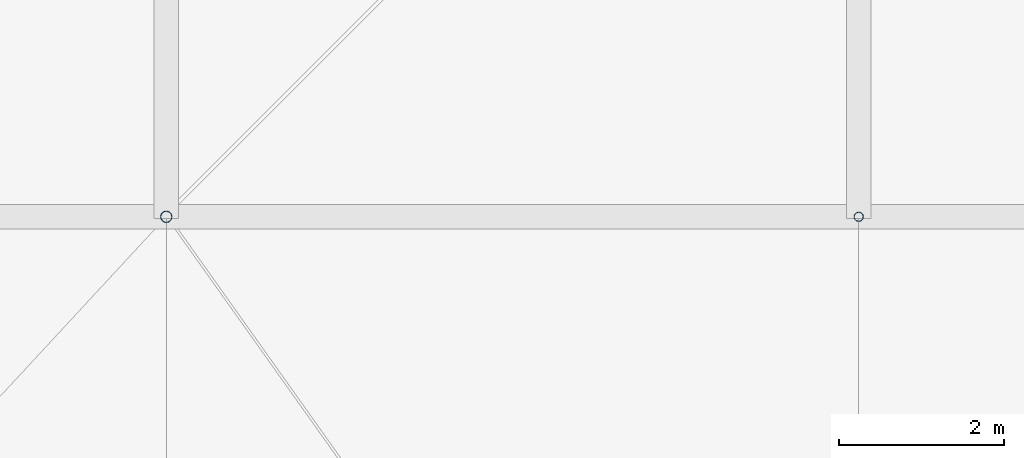
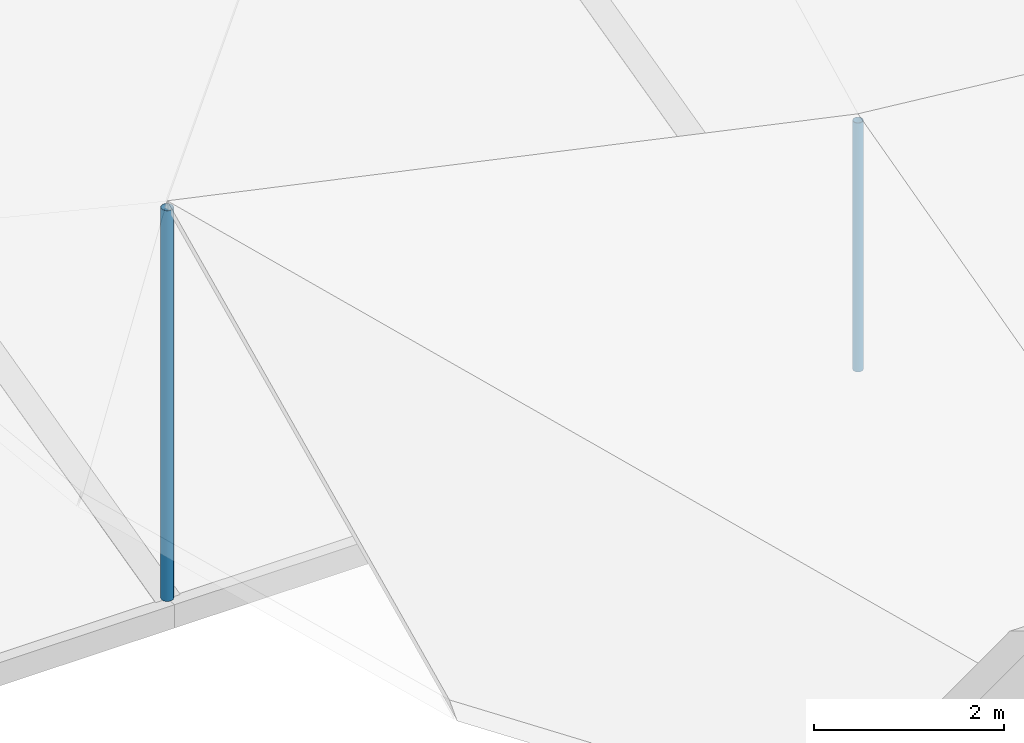
# One storey, part 31 of 111: 2 discrete accessories.
"""IFC4 building model written with IfcOpenShell, lengths in metres."""

import ifcopenshell
import ifcopenshell.guid

model = None  # the IFC model being written
_history = None  # IfcOwnerHistory: only IFC2X3 demands one
_inside = {}  # id of a spatial element -> (the spatial element, [elements in it])
_under = {}  # id of a project, library or spatial element -> (it, [spatial elements below it])
_declared = {}  # id of a project -> (the project, [libraries it declares])
_typed = {}  # id of a type object -> (the type object, [elements of that type])
_made_of = {}  # id of a material, layer set ... -> (it, [elements and type objects made of it])


def new_model(schema):
    """Start an empty IFC model of exactly this schema.

    Asked for "IFC4X3", IfcOpenShell would pick the latest addendum, in which some entities
    have other attributes; the version numbers below select the first issue.
    IFC2X3 requires an IfcOwnerHistory on every rooted entity: one is made here for all.
    """
    global model, _history
    if schema == "IFC4X3":
        model = ifcopenshell.file(schema_version=(4, 3, 0, 0))
    else:
        model = ifcopenshell.file(schema=schema)
    _inside.clear()
    _under.clear()
    _declared.clear()
    _typed.clear()
    _made_of.clear()
    _history = None
    if model.schema == "IFC2X3":
        org = make("IfcOrganization", Name="unknown")
        user = make(
            "IfcPersonAndOrganization",
            ThePerson=make("IfcPerson", FamilyName="unknown"),
            TheOrganization=org,
        )
        app = make(
            "IfcApplication",
            ApplicationDeveloper=org,
            Version="unknown",
            ApplicationFullName="unknown",
            ApplicationIdentifier="unknown",
        )
        _history = make(
            "IfcOwnerHistory",
            OwningUser=user,
            OwningApplication=app,
            ChangeAction="ADDED",
            CreationDate=0,
        )
    return model


def make(cls, **values):
    """One entity of the class cls with the attributes given. An attribute that is None is left unset."""
    return model.create_entity(
        cls, **{name: value for name, value in values.items() if value is not None}
    )


def rooted(cls, **values):
    """An entity with a GlobalId (a new one), such as an element, a storey or a relation."""
    return make(cls, GlobalId=ifcopenshell.guid.new(), OwnerHistory=_history, **values)


def si_unit(unit_type, name, prefix=None):
    """IfcSIUnit, for example si_unit("LENGTHUNIT", "METRE", prefix="MILLI")."""
    return make("IfcSIUnit", UnitType=unit_type, Prefix=prefix, Name=name)


def assignment(units):
    """IfcUnitAssignment: the units of a project."""
    return None if units is None else make("IfcUnitAssignment", Units=units)


def point(xyz):
    """IfcCartesianPoint."""
    return None if xyz is None else make("IfcCartesianPoint", Coordinates=xyz)


def direction(xyz):
    """IfcDirection."""
    return None if xyz is None else make("IfcDirection", DirectionRatios=xyz)


def frame(location, z_axis=None, x_axis=None):
    """IfcAxis2Placement3D, a coordinate frame: its origin and axes. An axis left out is left unset."""
    return make(
        "IfcAxis2Placement3D",
        Location=point(location),
        Axis=direction(z_axis),
        RefDirection=direction(x_axis),
    )


def frame_2d(location, x_axis=None):
    """IfcAxis2Placement2D, a coordinate frame in the plane: its origin and x axis."""
    return make(
        "IfcAxis2Placement2D", Location=point(location), RefDirection=direction(x_axis)
    )


def origin():
    """The frame at (0, 0, 0) with its axes left unset."""
    return frame((0.0, 0.0, 0.0))


def origin_2d():
    """The frame at (0, 0) in the plane with its x axis left unset."""
    return frame_2d((0.0, 0.0))


def place(relative_to, where):
    """IfcLocalPlacement: puts the frame where relative to a parent placement (None: the world)."""
    return make(
        "IfcLocalPlacement", PlacementRelTo=relative_to, RelativePlacement=where
    )


def context(
    kind, dimensions, precision=None, world=None, true_north=None, identifier=None
):
    """IfcGeometricRepresentationContext, for example the 3D "Model" context."""
    return make(
        "IfcGeometricRepresentationContext",
        ContextIdentifier=identifier,
        ContextType=kind,
        CoordinateSpaceDimension=dimensions,
        Precision=precision,
        WorldCoordinateSystem=world,
        TrueNorth=true_north,
    )


def subcontext(parent, identifier, kind, view, scale=None):
    """IfcGeometricRepresentationSubContext, for example "Body" below "Model"."""
    return make(
        "IfcGeometricRepresentationSubContext",
        ContextIdentifier=identifier,
        ContextType=kind,
        ParentContext=parent,
        TargetScale=scale,
        TargetView=view,
    )


def project(units=None, contexts=None):
    """IfcProject with its units and contexts."""
    return rooted(
        "IfcProject",
        Name="project",
        RepresentationContexts=contexts,
        UnitsInContext=assignment(units),
    )


def spatial(cls, under=None, at=None, **own):
    """A site, building, storey or space (cls), placed at a placement, below another one or the project."""
    s = rooted(cls, ObjectPlacement=at, **own)
    if under is not None:
        _under.setdefault(under.id(), (under, []))[1].append(s)
    return s


def profile(cls, at=None, kind="AREA", **sizes):
    """A parametric profile (cls). Its sizes go by their IFC names, for example OverallWidth=200.0."""
    return make(cls, ProfileType=kind, Position=at, **sizes)


def hollow_circle(**sizes):
    """IfcCircleHollowProfileDef."""
    return profile("IfcCircleHollowProfileDef", **sizes)


def extrude(swept, where, along, depth):
    """IfcExtrudedAreaSolid: the profile swept, set in the frame where, extruded along a direction by depth."""
    return make(
        "IfcExtrudedAreaSolid",
        SweptArea=swept,
        Position=where,
        ExtrudedDirection=direction(along),
        Depth=depth,
    )


def shape(context_of_items, identifier, shape_type, items):
    """IfcShapeRepresentation: the items that make up one representation, for example the "Body"."""
    return make(
        "IfcShapeRepresentation",
        ContextOfItems=context_of_items,
        RepresentationIdentifier=identifier,
        RepresentationType=shape_type,
        Items=items,
    )


def material(Name=None, Category=None):
    """IfcMaterial."""
    return make("IfcMaterial", Name=Name, Category=Category)


def material_profile(
    of_material, cross_section, Name=None, Category=None, Priority=None
):
    """IfcMaterialProfile: a cross section and its material."""
    return make(
        "IfcMaterialProfile",
        Name=Name,
        Material=of_material,
        Profile=cross_section,
        Priority=Priority,
        Category=Category,
    )


def profile_set(profiles, Name=None, composite=None):
    """IfcMaterialProfileSet."""
    return make(
        "IfcMaterialProfileSet",
        Name=Name,
        MaterialProfiles=profiles,
        CompositeProfile=composite,
    )


def made_of(thing, what):
    """Note that an element or type object is made of a material, layer set ...; save() writes the relation."""
    if what is not None:
        _made_of.setdefault(what.id(), (what, []))[1].append(thing)
    return thing


def type_object(cls, material=None, **own):
    """A type object (cls), such as IfcWallType, which elements share."""
    return made_of(rooted(cls, **own), material)


def element(
    cls,
    number,
    at=None,
    inside=None,
    cuts=None,
    type_object=None,
    material=None,
    context=None,
    identifier="Body",
    shape_type=None,
    held_by="IfcProductDefinitionShape",
    body=None,
    shapes=None,
    **own,
):
    """One element of the class cls, such as IfcWall. Its Tag is "e" and its number.

    at: its placement. inside: the storey or other place that contains it. cuts: it is an
    opening in that element (IfcRelVoidsElement). A single representation is given by context,
    identifier, shape_type and body (its items); several are given by shapes. held_by: the class
    of the entity that holds the representations. save() writes the other relations.
    """
    e = rooted(cls, Tag="e%d" % number, ObjectPlacement=at, **own)
    if body is not None:
        shapes = [shape(context, identifier, shape_type, body)]
    if shapes is not None:
        e.Representation = make(held_by, Representations=shapes)
    if inside is not None:
        _inside.setdefault(inside.id(), (inside, []))[1].append(e)
    if cuts is not None:
        rooted(
            "IfcRelVoidsElement", RelatingBuildingElement=cuts, RelatedOpeningElement=e
        )
    if type_object is not None:
        _typed.setdefault(type_object.id(), (type_object, []))[1].append(e)
    return made_of(e, material)


def aggregate(whole, parts):
    """IfcRelAggregates: a whole, such as a stair, and the parts it consists of."""
    return rooted("IfcRelAggregates", RelatingObject=whole, RelatedObjects=parts)


def save(model, path):
    """Write the relations noted so far, then the file.

    IfcRelAggregates (storeys below a building ...), IfcRelContainedInSpatialStructure (elements
    in a storey), IfcRelDefinesByType, IfcRelAssociatesMaterial and IfcRelDeclares: one each for
    every whole, place, type object, material and project.
    """
    for whole, parts in _under.values():
        aggregate(whole, parts)
    for where, things in _inside.values():
        rooted(
            "IfcRelContainedInSpatialStructure",
            RelatedElements=things,
            RelatingStructure=where,
        )
    for kind, things in _typed.values():
        rooted("IfcRelDefinesByType", RelatedObjects=things, RelatingType=kind)
    for what, things in _made_of.values():
        rooted("IfcRelAssociatesMaterial", RelatedObjects=things, RelatingMaterial=what)
    for by, libraries in _declared.values():
        rooted("IfcRelDeclares", RelatingContext=by, RelatedDefinitions=libraries)
    model.write(path)


model = new_model("IFC4")

# Units and contexts
model_context = context("Model", 3, precision=1e-05, world=origin(), true_north=direction((0.0, 1.0)))
body_context = subcontext(model_context, "Body", "Model", "MODEL_VIEW")
ifc_project = project(units=[si_unit("LENGTHUNIT", "METRE"), si_unit("AREAUNIT", "SQUARE_METRE"), si_unit("VOLUMEUNIT", "CUBIC_METRE"), si_unit("PLANEANGLEUNIT", "RADIAN"), si_unit("MASSUNIT", "GRAM", prefix="KILO")], contexts=[model_context])

# Site, building, storey
site_placement = place(None, origin())
site = spatial("IfcSite", under=ifc_project, at=site_placement, CompositionType="ELEMENT")
building_placement = place(site_placement, origin())
building = spatial("IfcBuilding", under=site, at=building_placement, Name="Rain Tree Exposition and Congress Centre", CompositionType="ELEMENT")
storey_placement = place(building_placement, frame((0.0, 0.0, 19.5)))
storey = spatial("IfcBuildingStorey", under=building, at=storey_placement, Name="RF", CompositionType="ELEMENT", Elevation=19.5)

# Discrete accessories
ifc_material_1 = material(Name="Steel S355J2H", Category="steel")
ifc_material_profile_1 = material_profile(ifc_material_1, hollow_circle(Radius=0.05712890625, WallThickness=0.00439453125, at=origin_2d()), Name="CHS 114x4.5")
ifc_profile_set_1 = profile_set([ifc_material_profile_1], Name="Steel S355J2H")
discrete_accessory_type_1 = type_object("IfcDiscreteAccessoryType", Name="Roof skin post CHS 114x4.5", PredefinedType="BRACKET", material=ifc_profile_set_1)
discrete_accessory_1_placement = place(storey_placement, frame((92.39990234375, 109.199951171875, 1.11669921875), z_axis=(0.0, 0.0, 1.0), x_axis=(1.0, 0.0, 0.0)))
element("IfcDiscreteAccessory", 1, at=discrete_accessory_1_placement, inside=storey, type_object=discrete_accessory_type_1, Name="Roof skin post A26", PredefinedType="BRACKET", context=body_context, shape_type="SweptSolid", body=[
    extrude(hollow_circle(Radius=0.05712890625, WallThickness=0.00439453125, at=origin_2d()), origin(), (0.0, 0.0, 1.0), 3.2001953125),
])
ifc_material_2 = material(Name="Steel S355J2H", Category="steel")
ifc_material_profile_2 = material_profile(ifc_material_2, hollow_circle(Radius=0.06982421875, WallThickness=0.0048828125, at=origin_2d()), Name="CHS 140x5")
ifc_profile_set_2 = profile_set([ifc_material_profile_2], Name="Steel S355J2H")
discrete_accessory_type_2 = type_object("IfcDiscreteAccessoryType", Name="Roof skin post CHS 140x5", PredefinedType="BRACKET", material=ifc_profile_set_2)
discrete_accessory_2_placement = place(storey_placement, frame((84.0, 109.199951171875, 1.11669921875), z_axis=(0.0, 0.0, 1.0), x_axis=(1.0, 0.0, 0.0)))
element("IfcDiscreteAccessory", 2, at=discrete_accessory_2_placement, inside=storey, type_object=discrete_accessory_type_2, Name="Roof skin post A25", PredefinedType="BRACKET", context=body_context, shape_type="SweptSolid", body=[
    extrude(hollow_circle(Radius=0.06982421875, WallThickness=0.0048828125, at=origin_2d()), origin(), (0.0, 0.0, 1.0), 5.022705078125),
])

save(model, "model.ifc")
